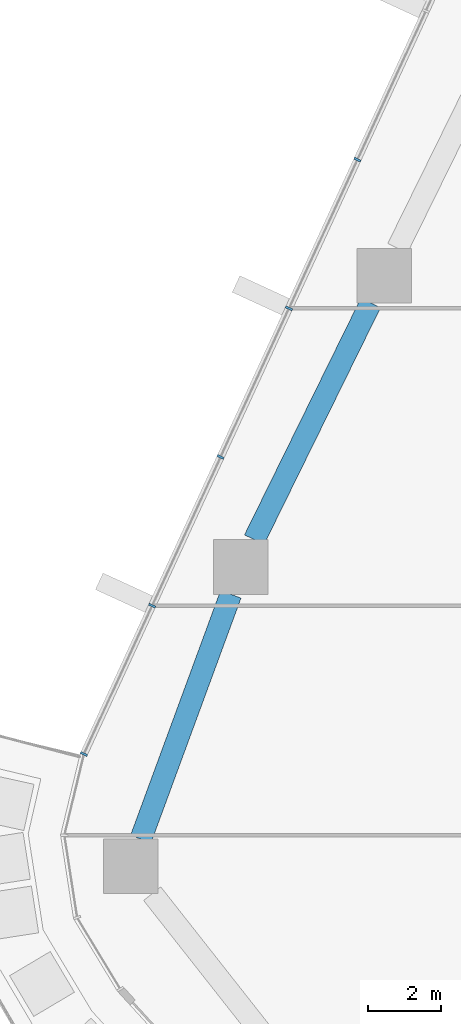
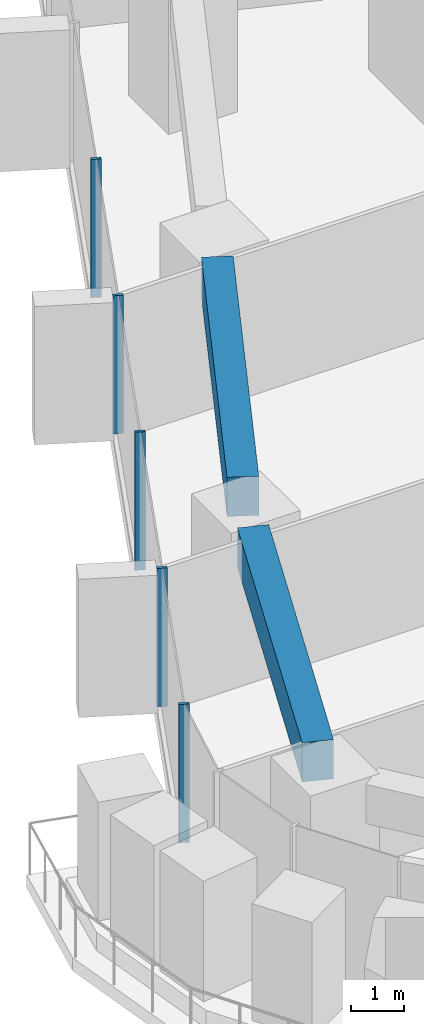
# One storey, part 5 of 26: 5 members, 2 beams, 1 element without a shape of its own.
"""IFC4 building model written with IfcOpenShell, lengths in metres."""

from ifc_helpers import new_model, si_unit, direction, frame, origin, origin_2d, place, context, subcontext, project, spatial, rectangle, extrude, material, layer, layer_set, material_profile, profile_set, type_object, element, aggregate, save


model = new_model("IFC4")

# Units and contexts
model_context = context("Model", 3, precision=1e-05, world=origin(), true_north=direction((0.0, 1.0)))
body_context = subcontext(model_context, "Body", "Model", "MODEL_VIEW")
ifc_project = project(units=[si_unit("LENGTHUNIT", "METRE"), si_unit("AREAUNIT", "SQUARE_METRE"), si_unit("VOLUMEUNIT", "CUBIC_METRE"), si_unit("PLANEANGLEUNIT", "RADIAN"), si_unit("MASSUNIT", "GRAM", prefix="KILO")], contexts=[model_context])

# Site, building, storey
site_placement = place(None, origin())
site = spatial("IfcSite", under=ifc_project, at=site_placement, CompositionType="ELEMENT")
building_placement = place(site_placement, origin())
building = spatial("IfcBuilding", under=site, at=building_placement, Name="Dongbaek Canopy Tower", CompositionType="ELEMENT")
storey_placement = place(building_placement, frame((0.0, 0.0, 73.60009765625)))
storey = spatial("IfcBuildingStorey", under=building, at=storey_placement, Name="L14", CompositionType="ELEMENT", Elevation=73.60009765625)

# Curtain wall, members
ifc_material_1 = material(Name="Aluminium 6063-T6 pale anodised", Category="aluminium")
ifc_layer = layer(ifc_material_1, 0.199951171875)
ifc_layer_set = layer_set([ifc_layer], Name="CW-1 unitised tower curtain wall")
curtain_wall_type = type_object("IfcCurtainWallType", Name="CW-1 unitised tower curtain wall", PredefinedType="NOTDEFINED", material=ifc_layer_set)
curtain_wall_placement = place(storey_placement, origin())
curtain_wall = element("IfcCurtainWall", 1, at=curtain_wall_placement, inside=storey, type_object=curtain_wall_type, Name="CW-1 curtain wall F2.1", PredefinedType="NOTDEFINED")
ifc_material_2 = material(Name="Aluminium 6063-T6 pale anodised", Category="aluminium")
ifc_material_profile_1 = material_profile(ifc_material_2, rectangle(XDim=0.199951171875, YDim=0.06005859375, at=origin_2d()), Name="CW-1 mullion 60 x 200")
ifc_profile_set_1 = profile_set([ifc_material_profile_1], Name="Aluminium 6063-T6 pale anodised")
member_type = type_object("IfcMemberType", Name="CW-1 mullion 60 x 200", PredefinedType="MULLION", material=ifc_profile_set_1)
member_1_placement = place(storey_placement, frame((-31.261962890625, 11.29541015625, 0.119873046875), z_axis=(0.0, 0.0, 1.0), x_axis=(-0.908435687115, 0.418024643264, 0.0)))
member_1 = element("IfcMember", 2, at=member_1_placement, type_object=member_type, Name="CW-1 mullion F2.1.6", PredefinedType="MULLION", context=body_context, shape_type="SweptSolid", body=[
    extrude(rectangle(XDim=0.199951171875, YDim=0.06005859375, at=origin_2d()), origin(), (0.0, 0.0, 1.0), 3.179931640625),
])
member_2_placement = place(storey_placement, frame((-33.1416015625, 7.21044921875, 0.119873046875), z_axis=(0.0, 0.0, 1.0), x_axis=(-0.908435687115, 0.418024643264, 0.0)))
member_2 = element("IfcMember", 3, at=member_2_placement, type_object=member_type, Name="CW-1 mullion F2.1.7", PredefinedType="MULLION", context=body_context, shape_type="SweptSolid", body=[
    extrude(rectangle(XDim=0.199951171875, YDim=0.06005859375, at=origin_2d()), origin(), (0.0, 0.0, 1.0), 3.179931640625),
])
member_3_placement = place(storey_placement, frame((-35.021484375, 3.125732421875, 0.119873046875), z_axis=(0.0, 0.0, 1.0), x_axis=(-0.908435687115, 0.418024643264, 0.0)))
member_3 = element("IfcMember", 4, at=member_3_placement, type_object=member_type, Name="CW-1 mullion F2.1.8", PredefinedType="MULLION", context=body_context, shape_type="SweptSolid", body=[
    extrude(rectangle(XDim=0.199951171875, YDim=0.06005859375, at=origin_2d()), origin(), (0.0, 0.0, 1.0), 3.179931640625),
])
member_4_placement = place(storey_placement, frame((-36.901123046875, -0.959228515625, 0.119873046875), z_axis=(0.0, 0.0, 1.0), x_axis=(-0.908435687115, 0.418024643264, 0.0)))
member_4 = element("IfcMember", 5, at=member_4_placement, type_object=member_type, Name="CW-1 mullion F2.1.9", PredefinedType="MULLION", context=body_context, shape_type="SweptSolid", body=[
    extrude(rectangle(XDim=0.199951171875, YDim=0.06005859375, at=origin_2d()), origin(), (0.0, 0.0, 1.0), 3.179931640625),
])
member_5_placement = place(storey_placement, frame((-38.776611328125, -5.03515625, 0.119873046875), z_axis=(0.0, 0.0, 1.0), x_axis=(-0.908435687115, 0.418024643264, 0.0)))
member_5 = element("IfcMember", 6, at=member_5_placement, type_object=member_type, Name="CW-1 mullion F2.1.10", PredefinedType="MULLION", context=body_context, shape_type="SweptSolid", body=[
    extrude(rectangle(XDim=0.199951171875, YDim=0.06005859375, at=origin_2d()), origin(), (0.0, 0.0, 1.0), 3.179931640625),
])
aggregate(curtain_wall, [member_1, member_2, member_3, member_4, member_5])

# Beams
ifc_material_3 = material(Name="Concrete C80", Category="concrete")
ifc_material_profile_2 = material_profile(ifc_material_3, rectangle(XDim=0.60009765625, YDim=0.89990234375, at=origin_2d()), Name="RC EDGE BEAM 600x900 C80")
ifc_profile_set_2 = profile_set([ifc_material_profile_2], Name="Concrete C80")
beam_type = type_object("IfcBeamType", Name="RC EDGE BEAM 600x900 C80", PredefinedType="BEAM", material=ifc_profile_set_2)
beam_1_placement = place(storey_placement, frame((-37.213134765625, -7.373046875, 2.849853515625), z_axis=(0.345225397682, 0.938519805223, 0.0), x_axis=(-0.938519805223, 0.345225397682, 0.0)))
element("IfcBeam", 7, at=beam_1_placement, inside=storey, type_object=beam_type, Name="EDGEBEAM:L14:08", PredefinedType="BEAM", context=body_context, shape_type="SweptSolid", body=[
    extrude(rectangle(XDim=0.60009765625, YDim=0.89990234375, at=origin_2d()), origin(), (0.0, 0.0, 1.0), 7.166748046875),
])
beam_2_placement = place(storey_placement, frame((-34.09423828125, 0.85302734375, 2.849853515625), z_axis=(0.441292548313, 0.897363297, 0.0), x_axis=(-0.897363297, 0.441292548313, 0.0)))
element("IfcBeam", 8, at=beam_2_placement, inside=storey, type_object=beam_type, Name="EDGEBEAM:L14:09", PredefinedType="BEAM", context=body_context, shape_type="SweptSolid", body=[
    extrude(rectangle(XDim=0.60009765625, YDim=0.89990234375, at=origin_2d()), origin(), (0.0, 0.0, 1.0), 7.25244140625),
])

save(model, "model.ifc")
